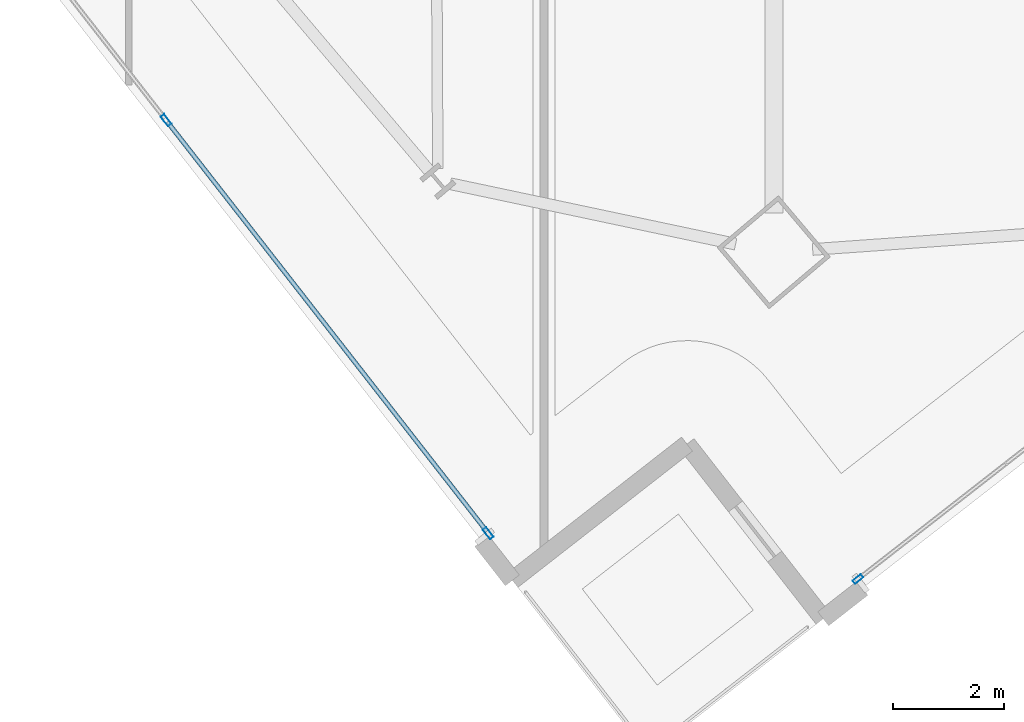
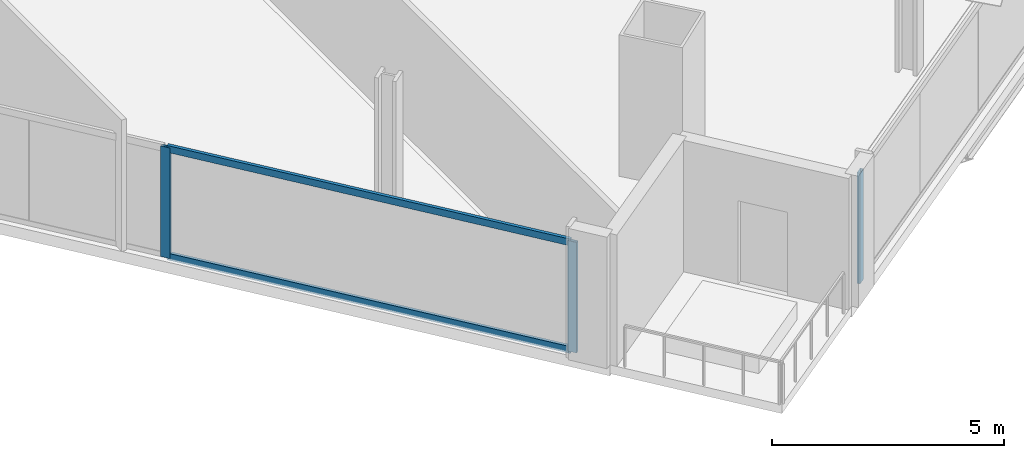
# One storey, part 2 of 32: 5 members, 2 elements without a shape of their own.
"""IFC4 building model written with IfcOpenShell, lengths in metres."""

from ifc_helpers import new_model, si_unit, direction, frame, origin, origin_2d, place, context, subcontext, project, spatial, hollow_rectangle, extrude, material, material_profile, profile_set, type_object, element, aggregate, save


model = new_model("IFC4")

# Units and contexts
model_context = context("Model", 3, precision=1e-05, world=origin(), true_north=direction((0.0, 1.0)))
body_context = subcontext(model_context, "Body", "Model", "MODEL_VIEW")
ifc_project = project(units=[si_unit("LENGTHUNIT", "METRE"), si_unit("AREAUNIT", "SQUARE_METRE"), si_unit("VOLUMEUNIT", "CUBIC_METRE"), si_unit("PLANEANGLEUNIT", "RADIAN"), si_unit("MASSUNIT", "GRAM", prefix="KILO")], contexts=[model_context])

# Site, building, storey
site_placement = place(None, origin())
site = spatial("IfcSite", under=ifc_project, at=site_placement, CompositionType="ELEMENT")
building_placement = place(site_placement, origin())
building = spatial("IfcBuilding", under=site, at=building_placement, Name="Haldenkirk Collegiate Tower", CompositionType="ELEMENT")
storey_placement = place(building_placement, frame((0.0, 0.0, 155.699951171875)))
storey = spatial("IfcBuildingStorey", under=building, at=storey_placement, Name="L38", CompositionType="ELEMENT", Elevation=155.699951171875)

# Curtain wall, member
ifc_material = material(Name="Anodised architectural bronze aluminium", Category="aluminium")
curtain_wall_type_1 = type_object("IfcCurtainWallType", Name="CW-SYS2-CONCAVE", PredefinedType="USERDEFINED", material=ifc_material)
curtain_wall_1_placement = place(storey_placement, origin())
curtain_wall_1 = element("IfcCurtainWall", 1, at=curtain_wall_1_placement, inside=storey, type_object=curtain_wall_type_1, Name="L38 South concave recessed bronze-anodised curtain wall", ObjectType="UNITISED CURTAIN WALL", PredefinedType="USERDEFINED")
ifc_material_profile_1 = material_profile(ifc_material, hollow_rectangle(XDim=0.074951171875, YDim=0.18994140625, WallThickness=0.0048828125, at=origin_2d()), Name="CW-MUL-02")
ifc_profile_set_1 = profile_set([ifc_material_profile_1], Name="Anodised architectural bronze aluminium")
member_type_1 = type_object("IfcMemberType", Name="CW-MUL-02", PredefinedType="MULLION", material=ifc_profile_set_1)
member_1_placement = place(storey_placement, frame((34.670654296875, -5.244140625, 0.0), z_axis=(0.0, 0.0, 1.0), x_axis=(0.614973604921, -0.788547693707, 0.0)))
member_1 = element("IfcMember", 2, at=member_1_placement, type_object=member_type_1, Name="CW-02 mullion 5", PredefinedType="MULLION", context=body_context, shape_type="SweptSolid", body=[
    extrude(hollow_rectangle(XDim=0.074951171875, YDim=0.18994140625, WallThickness=0.0048828125, at=origin_2d()), origin(), (0.0, 0.0, 1.0), 2.9111328125),
])
aggregate(curtain_wall_1, [member_1])

# Curtain wall, members
curtain_wall_type_2 = type_object("IfcCurtainWallType", Name="CW-SYS1-CONVEX-LOW", PredefinedType="USERDEFINED", material=ifc_material)
curtain_wall_2_placement = place(storey_placement, origin())
curtain_wall_2 = element("IfcCurtainWall", 3, at=curtain_wall_2_placement, inside=storey, type_object=curtain_wall_type_2, Name="L38 Lower tower convex bronze-framed unitised curtain wall", ObjectType="UNITISED CURTAIN WALL", PredefinedType="USERDEFINED")
ifc_material_profile_2 = material_profile(ifc_material, hollow_rectangle(XDim=0.080078125, YDim=0.219970703125, WallThickness=0.0048828125, at=origin_2d()), Name="CW-MUL-1A")
ifc_profile_set_2 = profile_set([ifc_material_profile_2], Name="Anodised architectural bronze aluminium")
member_type_2 = type_object("IfcMemberType", Name="CW-MUL-1A", PredefinedType="MULLION", material=ifc_profile_set_2)
member_2_placement = place(storey_placement, frame((27.991943359375, -4.416259765625, 0.0), z_axis=(0.0, 0.0, 1.0), x_axis=(-0.788547532235, -0.614973811968, 0.0)))
member_2 = element("IfcMember", 4, at=member_2_placement, type_object=member_type_2, Name="CW-1A mullion 1", PredefinedType="MULLION", context=body_context, shape_type="SweptSolid", body=[
    extrude(hollow_rectangle(XDim=0.080078125, YDim=0.219970703125, WallThickness=0.0048828125, at=origin_2d()), origin(), (0.0, 0.0, 1.0), 2.9111328125),
])
member_3_placement = place(storey_placement, frame((22.17431640625, 3.043212890625, 0.0), z_axis=(0.0, 0.0, 1.0), x_axis=(-0.788547532235, -0.614973811968, 0.0)))
member_3 = element("IfcMember", 5, at=member_3_placement, type_object=member_type_2, Name="CW-1A mullion 2", PredefinedType="MULLION", context=body_context, shape_type="SweptSolid", body=[
    extrude(hollow_rectangle(XDim=0.080078125, YDim=0.219970703125, WallThickness=0.0048828125, at=origin_2d()), origin(), (0.0, 0.0, 1.0), 2.9111328125),
])
ifc_material_profile_3 = material_profile(ifc_material, hollow_rectangle(XDim=0.080078125, YDim=0.179931640625, WallThickness=0.0048828125, at=origin_2d()), Name="CW-TRN-1A")
ifc_profile_set_3 = profile_set([ifc_material_profile_3], Name="Anodised architectural bronze aluminium")
member_type_3 = type_object("IfcMemberType", Name="CW-TRN-1A", PredefinedType="USERDEFINED", material=ifc_profile_set_3)
member_4_placement = place(storey_placement, frame((27.96728515625, -4.384765625, 0.0400390625), z_axis=(-0.614985192232, 0.788538656842, 0.0), x_axis=(-0.788538656842, -0.614985192232, 0.0)))
member_4 = element("IfcMember", 6, at=member_4_placement, type_object=member_type_3, Name="CW-1A transom 1.1", ObjectType="TRANSOM", PredefinedType="USERDEFINED", context=body_context, shape_type="SweptSolid", body=[
    extrude(hollow_rectangle(XDim=0.080078125, YDim=0.179931640625, WallThickness=0.0048828125, at=origin_2d()), origin(), (0.0, 0.0, 1.0), 9.3798828125),
])
member_5_placement = place(storey_placement, frame((27.96728515625, -4.384765625, 2.87109375), z_axis=(-0.614985192232, 0.788538656842, 0.0), x_axis=(-0.788538656842, -0.614985192232, 0.0)))
member_5 = element("IfcMember", 7, at=member_5_placement, type_object=member_type_3, Name="CW-1A transom 1.2", ObjectType="TRANSOM", PredefinedType="USERDEFINED", context=body_context, shape_type="SweptSolid", body=[
    extrude(hollow_rectangle(XDim=0.080078125, YDim=0.179931640625, WallThickness=0.0048828125, at=origin_2d()), origin(), (0.0, 0.0, 1.0), 9.3798828125),
])
aggregate(curtain_wall_2, [member_2, member_3, member_4, member_5])

save(model, "model.ifc")
